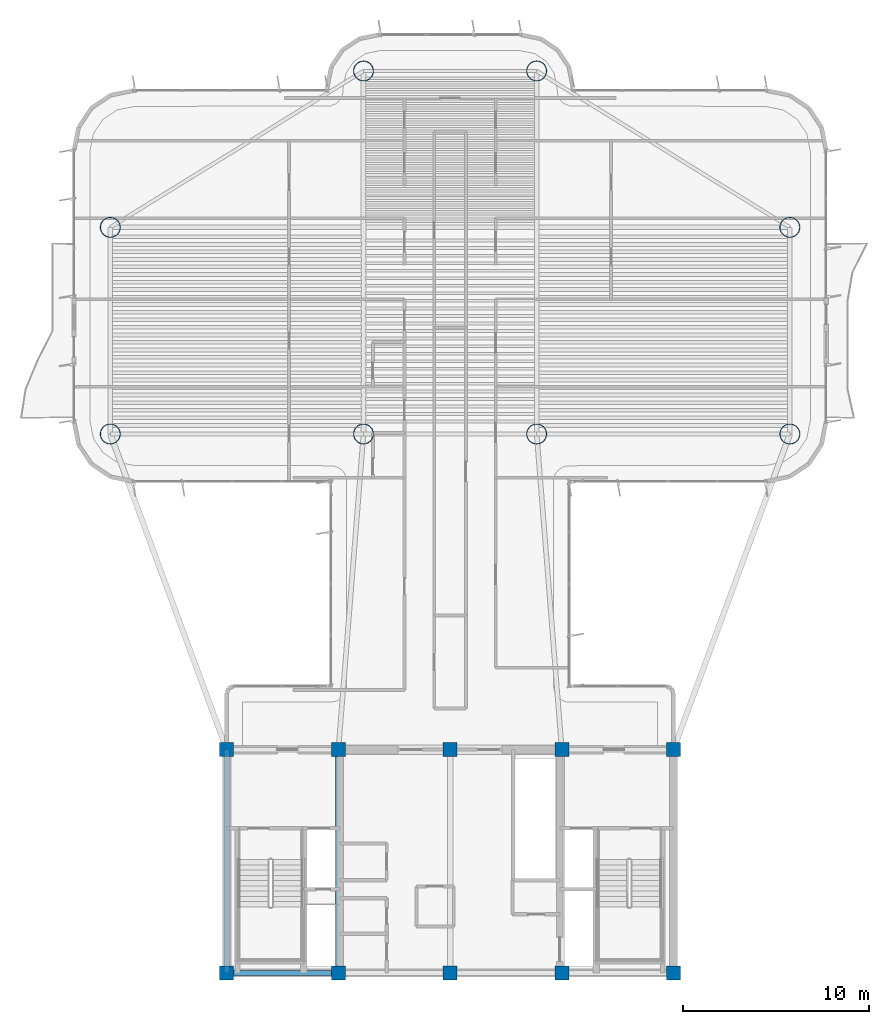
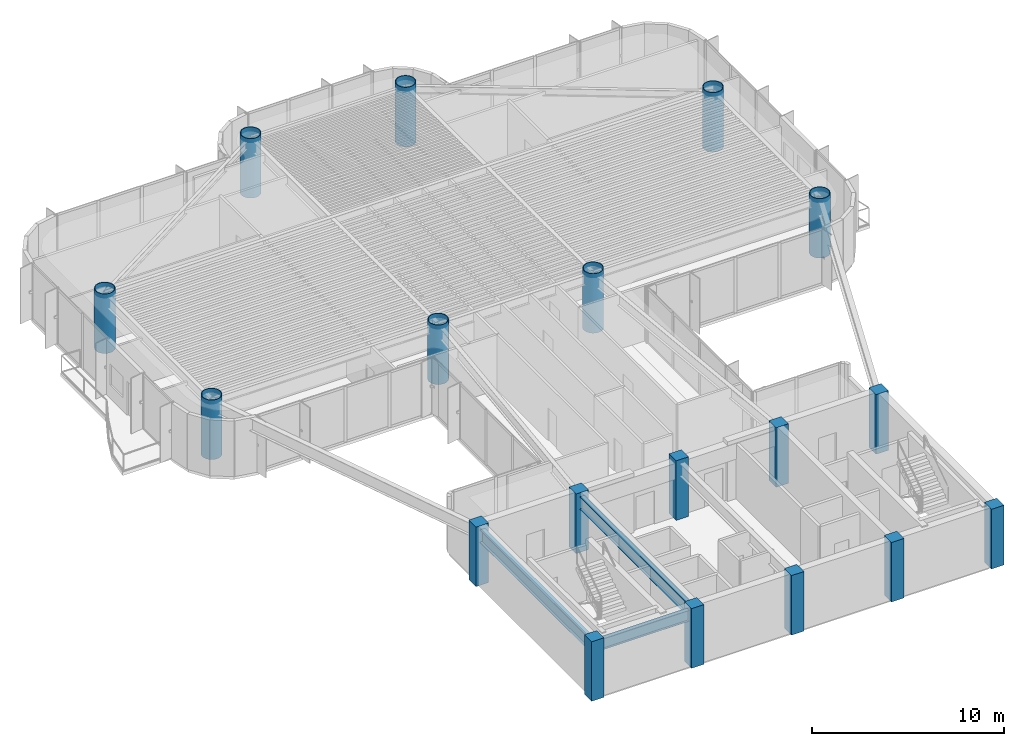
# One storey, part 1 of 14: 18 columns, 3 beams.
"""IFC4 building model written with IfcOpenShell, lengths in metres."""

from ifc_helpers import new_model, si_unit, direction, frame, origin, origin_2d, place, context, subcontext, project, spatial, rectangle, hollow_circle, i_section, extrude, source, transform, mapped, material, material_profile, profile_set, type_object, element, save


model = new_model("IFC4")

# Units and contexts
model_context = context("Model", 3, precision=1e-05, world=origin(), true_north=direction((0.0, 1.0)))
body_context = subcontext(model_context, "Body", "Model", "MODEL_VIEW")
ifc_project = project(units=[si_unit("LENGTHUNIT", "METRE"), si_unit("AREAUNIT", "SQUARE_METRE"), si_unit("VOLUMEUNIT", "CUBIC_METRE"), si_unit("PLANEANGLEUNIT", "RADIAN"), si_unit("MASSUNIT", "GRAM", prefix="KILO")], contexts=[model_context])

# Site, building, storey
site_placement = place(None, origin())
site = spatial("IfcSite", under=ifc_project, at=site_placement, CompositionType="ELEMENT")
building_placement = place(site_placement, origin())
building = spatial("IfcBuilding", under=site, at=building_placement, Name="Brelvock Crest Care Tower", CompositionType="ELEMENT")
storey_placement = place(building_placement, frame((0.0, 0.0, 194.219970703125)))
storey = spatial("IfcBuildingStorey", under=building, at=storey_placement, Name="L49", CompositionType="ELEMENT", Elevation=194.219970703125)

# Columns
ifc_material_1 = material(Name="Concrete S65 (65 MPa)", Category="concrete")
ifc_material_profile_1 = material_profile(ifc_material_1, rectangle(XDim=0.75, YDim=0.75, at=origin_2d()), Name="RC750x750")
ifc_profile_set_1 = profile_set([ifc_material_profile_1], Name="Concrete S65 (65 MPa)")
column_type_1 = type_object("IfcColumnType", Name="COL-RC3", PredefinedType="COLUMN", material=ifc_profile_set_1)
shared_shape_1 = source(origin(), body_context, "Body", "SweptSolid", [
    extrude(rectangle(XDim=0.75, YDim=0.75, at=origin_2d()), origin(), (0.0, 0.0, 1.0), 3.780029296875),
])
for number, where, z_axis, x_axis, name in (
    (1, (24.0, 6.0, 0.0), (0.0, 0.0, 1.0), (1.0, 0.0, 0.0), "L49 Core Column CC-01"),
    (2, (30.0, 6.0, 0.0), (0.0, 0.0, 1.0), (1.0, 0.0, 0.0), "L49 Core Column CC-02"),
    (3, (36.0, 6.0, 0.0), (0.0, 0.0, 1.0), (1.0, 0.0, 0.0), "L49 Core Column CC-03"),
    (4, (42.0, 6.0, 0.0), (0.0, 0.0, 1.0), (1.0, 0.0, 0.0), "L49 Core Column CC-04"),
    (5, (48.0, 6.0, 0.0), (0.0, 0.0, 1.0), (1.0, 0.0, 0.0), "L49 Core Column CC-05"),
    (6, (24.0, 18.0, 0.0), (0.0, 0.0, 1.0), (1.0, 0.0, 0.0), "L49 Core Column CC-06"),
    (7, (30.0, 18.0, 0.0), (0.0, 0.0, 1.0), (1.0, 0.0, 0.0), "L49 Core Column CC-07"),
    (8, (36.0, 18.0, 0.0), (0.0, 0.0, 1.0), (1.0, 0.0, 0.0), "L49 Core Column CC-08"),
    (9, (42.0, 18.0, 0.0), (0.0, 0.0, 1.0), (1.0, 0.0, 0.0), "L49 Core Column CC-09"),
    (10, (48.0, 18.0, 0.0), (0.0, 0.0, 1.0), (1.0, 0.0, 0.0), "L49 Core Column CC-10"),
):
    element("IfcColumn", number, at=place(storey_placement, frame(where, z_axis=z_axis, x_axis=x_axis)), inside=storey, type_object=column_type_1, Name=name, PredefinedType="COLUMN", context=body_context, shape_type="MappedRepresentation", body=[
        mapped(shared_shape_1, transform((0.0, 0.0, 0.0), x_axis=(1.0, 0.0, 0.0), y_axis=(0.0, 1.0, 0.0), z_axis=(0.0, 0.0, 1.0), scale=1.0)),
    ])
ifc_material_2 = material(Name="Steel Grade 350", Category="steel")
ifc_material_profile_2 = material_profile(ifc_material_2, hollow_circle(Radius=0.550048828125, WallThickness=0.0400390625, at=origin_2d()), Name="CFT1100x40")
ifc_profile_set_2 = profile_set([ifc_material_profile_2], Name="Steel Grade 350")
column_type_2 = type_object("IfcColumnType", Name="COL-MC3", PredefinedType="COLUMN", material=ifc_profile_set_2)
shared_shape_2 = source(origin(), body_context, "Body", "SweptSolid", [
    extrude(hollow_circle(Radius=0.550048828125, WallThickness=0.0400390625, at=origin_2d()), origin(), (0.0, 0.0, 1.0), 3.780029296875),
])
for number, where, z_axis, x_axis, name in (
    (11, (17.75, 34.949951171875, 0.0), (0.0, 0.0, 1.0), (1.0, 0.0, 0.0), "L49 Tower Column M1"),
    (12, (17.75, 46.050048828125, 0.0), (0.0, 0.0, 1.0), (1.0, 0.0, 0.0), "L49 Tower Column M2"),
    (13, (54.25, 34.949951171875, 0.0), (0.0, 0.0, 1.0), (1.0, 0.0, 0.0), "L49 Tower Column M3"),
    (14, (54.25, 46.050048828125, 0.0), (0.0, 0.0, 1.0), (1.0, 0.0, 0.0), "L49 Tower Column M4"),
    (15, (31.35009765625, 34.949951171875, 0.0), (0.0, 0.0, 1.0), (1.0, 0.0, 0.0), "L49 Tower Column M5"),
    (16, (40.64990234375, 34.949951171875, 0.0), (0.0, 0.0, 1.0), (1.0, 0.0, 0.0), "L49 Tower Column M6"),
    (17, (31.35009765625, 54.449951171875, 0.0), (0.0, 0.0, 1.0), (1.0, 0.0, 0.0), "L49 Tower Column M7"),
    (18, (40.64990234375, 54.449951171875, 0.0), (0.0, 0.0, 1.0), (1.0, 0.0, 0.0), "L49 Tower Column M8"),
):
    element("IfcColumn", number, at=place(storey_placement, frame(where, z_axis=z_axis, x_axis=x_axis)), inside=storey, type_object=column_type_2, Name=name, PredefinedType="COLUMN", context=body_context, shape_type="MappedRepresentation", body=[
        mapped(shared_shape_2, transform((0.0, 0.0, 0.0), x_axis=(1.0, 0.0, 0.0), y_axis=(0.0, 1.0, 0.0), z_axis=(0.0, 0.0, 1.0), scale=1.0)),
    ])

# Beams
ifc_material_profile_3 = material_profile(ifc_material_2, i_section(OverallWidth=0.25, OverallDepth=0.699951171875, WebThickness=0.011962890625, FlangeThickness=0.02001953125, at=origin_2d()), Name="700WB150")
ifc_profile_set_3 = profile_set([ifc_material_profile_3], Name="Steel Grade 350")
beam_type_1 = type_object("IfcBeamType", Name="BM-G4", PredefinedType="BEAM", material=ifc_profile_set_3)
shared_shape_3 = source(origin(), body_context, "Body", "SweptSolid", [
    extrude(i_section(OverallWidth=0.25, OverallDepth=0.699951171875, WebThickness=0.011962890625, FlangeThickness=0.02001953125, at=origin_2d()), origin(), (0.0, 0.0, 1.0), 6.0),
])
beam_placement = place(storey_placement, frame((24.0, 6.0, 3.179931640625), z_axis=(1.0, 0.0, 0.0), x_axis=(0.0, 1.0, 0.0)))
element("IfcBeam", 19, at=beam_placement, inside=storey, type_object=beam_type_1, Name="BM-CORES-L49-1", PredefinedType="BEAM", context=body_context, shape_type="MappedRepresentation", body=[
    mapped(shared_shape_3, transform((0.0, 0.0, 0.0), x_axis=(1.0, 0.0, 0.0), y_axis=(0.0, 1.0, 0.0), z_axis=(0.0, 0.0, 1.0), scale=1.0)),
])
ifc_material_profile_4 = material_profile(ifc_material_2, i_section(OverallWidth=0.300048828125, OverallDepth=0.800048828125, WebThickness=0.013916015625, FlangeThickness=0.02197265625, at=origin_2d()), Name="800WB192")
ifc_profile_set_4 = profile_set([ifc_material_profile_4], Name="Steel Grade 350")
beam_type_2 = type_object("IfcBeamType", Name="BM-G5", PredefinedType="BEAM", material=ifc_profile_set_4)
shared_shape_4 = source(origin(), body_context, "Body", "SweptSolid", [
    extrude(i_section(OverallWidth=0.300048828125, OverallDepth=0.800048828125, WebThickness=0.013916015625, FlangeThickness=0.02197265625, at=origin_2d()), origin(), (0.0, 0.0, 1.0), 12.0),
])
for number, where, z_axis, x_axis, name in (
    (20, (24.0, 6.0, 3.130126953125), (0.0, 1.0, 0.0), (-1.0, 0.0, 0.0), "BM-COREX-L49-1"),
    (21, (30.0, 6.0, 3.130126953125), (0.0, 1.0, 0.0), (-1.0, 0.0, 0.0), "BM-COREX-L49-2"),
):
    element("IfcBeam", number, at=place(storey_placement, frame(where, z_axis=z_axis, x_axis=x_axis)), inside=storey, type_object=beam_type_2, Name=name, PredefinedType="BEAM", context=body_context, shape_type="MappedRepresentation", body=[
        mapped(shared_shape_4, transform((0.0, 0.0, 0.0), x_axis=(1.0, 0.0, 0.0), y_axis=(0.0, 1.0, 0.0), z_axis=(0.0, 0.0, 1.0), scale=1.0)),
    ])

save(model, "model.ifc")
